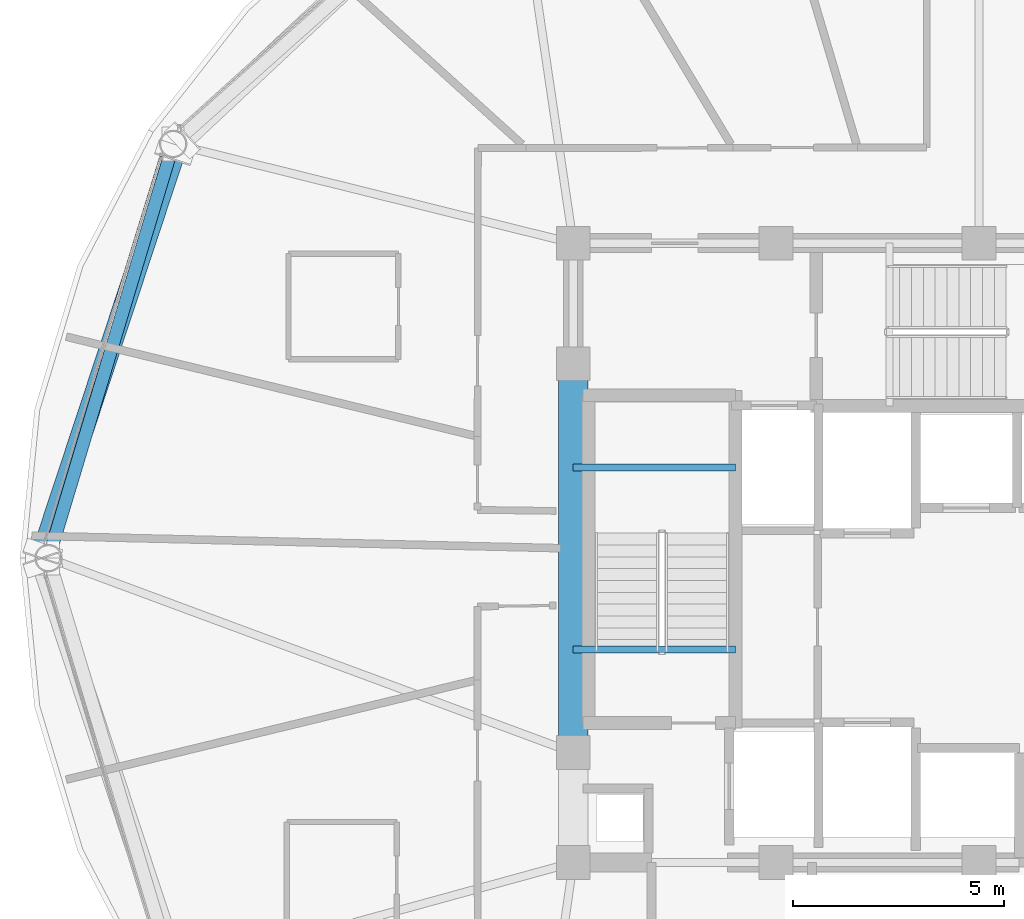
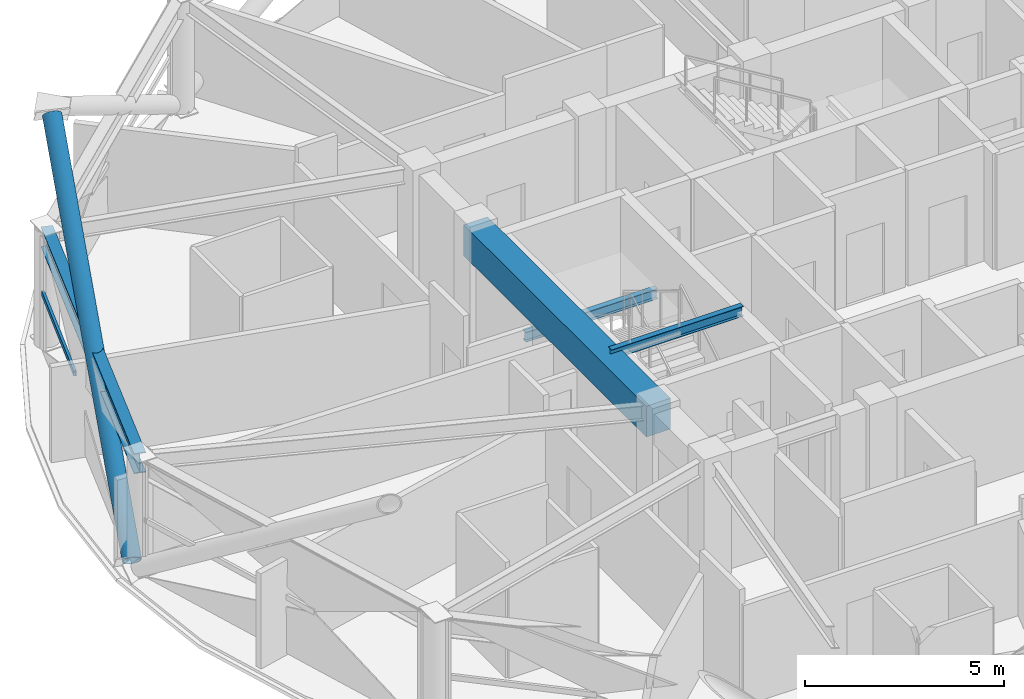
# One storey, part 8 of 29: 4 beams, 2 members, 1 element without a shape of its own.
"""IFC4 building model written with IfcOpenShell, lengths in metres."""

from ifc_helpers import new_model, si_unit, direction, frame, origin, origin_2d, place, context, subcontext, project, spatial, rectangle, hollow_rectangle, hollow_circle, i_section, extrude, material, layer, layer_set, material_profile, profile_set, type_object, element, aggregate, save


model = new_model("IFC4")

# Units and contexts
model_context = context("Model", 3, precision=1e-05, world=origin(), true_north=direction((0.0, 1.0)))
body_context = subcontext(model_context, "Body", "Model", "MODEL_VIEW")
ifc_project = project(units=[si_unit("LENGTHUNIT", "METRE"), si_unit("AREAUNIT", "SQUARE_METRE"), si_unit("VOLUMEUNIT", "CUBIC_METRE"), si_unit("PLANEANGLEUNIT", "RADIAN"), si_unit("MASSUNIT", "GRAM", prefix="KILO")], contexts=[model_context])

# Site, building, storey
site_placement = place(None, origin())
site = spatial("IfcSite", under=ifc_project, at=site_placement, CompositionType="ELEMENT")
building_placement = place(site_placement, origin())
building = spatial("IfcBuilding", under=site, at=building_placement, Name="Vantalir Tower", CompositionType="ELEMENT")
storey_placement = place(building_placement, frame((0.0, 0.0, 227.39990234375)))
storey = spatial("IfcBuildingStorey", under=building, at=storey_placement, Name="L57", CompositionType="ELEMENT", Elevation=227.39990234375)

# Beams
ifc_material_1 = material(Name="Concrete C60/75", Category="concrete")
ifc_material_profile_1 = material_profile(ifc_material_1, rectangle(XDim=0.699951171875, YDim=0.949951171875, at=origin_2d()), Name="Concrete C60/75")
ifc_profile_set_1 = profile_set([ifc_material_profile_1], Name="Concrete C60/75")
beam_type_1 = type_object("IfcBeamType", Name="BM-CB-700x950", PredefinedType="USERDEFINED", material=ifc_profile_set_1)
beam_1_placement = place(storey_placement, frame((21.89990234375, 29.60009765625, 3.09521484375), z_axis=(0.0, -1.0, 0.0), x_axis=(1.0, 0.0, 0.0)))
element("IfcBeam", 1, at=beam_1_placement, inside=storey, type_object=beam_type_1, Name="L57 Core Coupling Girder 13", ObjectType="GIRDER", PredefinedType="USERDEFINED", context=body_context, shape_type="SweptSolid", body=[
    extrude(rectangle(XDim=0.699951171875, YDim=0.949951171875, at=origin_2d()), origin(), (0.0, 0.0, 1.0), 9.2001953125),
])
ifc_material_2 = material(Name="Steel S355", Category="steel")
ifc_material_profile_2 = material_profile(ifc_material_2, i_section(OverallWidth=0.166015625, OverallDepth=0.306884765625, WebThickness=0.006591796875, FlangeThickness=0.01171875, at=origin_2d()), Name="Steel S355")
ifc_profile_set_2 = profile_set([ifc_material_profile_2], Name="Steel S355")
beam_type_2 = type_object("IfcBeamType", Name="BM-JS-305x165", PredefinedType="JOIST", material=ifc_profile_set_2)
for number, where, z_axis, x_axis, name in (
    (2, (21.89990234375, 22.8349609375, 3.59619140625), (1.0, 0.0, 0.0), (0.0, 1.0, 0.0), "L58 Stair ST1 Well Nosing Trimmer Beam"),
    (3, (21.89990234375, 27.14501953125, 1.52099609375), (1.0, 0.0, 0.0), (0.0, 1.0, 0.0), "L57 Stair ST1 Half-Landing Support Beam"),
):
    element("IfcBeam", number, at=place(storey_placement, frame(where, z_axis=z_axis, x_axis=x_axis)), inside=storey, type_object=beam_type_2, Name=name, PredefinedType="JOIST", context=body_context, shape_type="SweptSolid", body=[
        extrude(i_section(OverallWidth=0.166015625, OverallDepth=0.306884765625, WebThickness=0.006591796875, FlangeThickness=0.01171875, at=origin_2d()), origin(), (0.0, 0.0, 1.0), 3.840087890625),
    ])
ifc_material_3 = material(Name="Steel S460", Category="steel")
ifc_material_profile_3 = material_profile(ifc_material_3, i_section(OverallWidth=0.306884765625, OverallDepth=0.6201171875, WebThickness=0.01416015625, FlangeThickness=0.023681640625, at=origin_2d()), Name="Steel S460")
ifc_profile_set_3 = profile_set([ifc_material_profile_3], Name="Steel S460")
beam_type_3 = type_object("IfcBeamType", Name="BM-RG-610x305", PredefinedType="USERDEFINED", material=ifc_profile_set_3)
beam_2_placement = place(storey_placement, frame((12.43603515625, 34.798095703125, 3.260009765625), z_axis=(-0.288203662464, -0.957569135333, 0.0), x_axis=(0.957569135333, -0.288203662464, 0.0)))
element("IfcBeam", 4, at=beam_2_placement, inside=storey, type_object=beam_type_3, Name="L57 Circumferential Ring Girder 06", ObjectType="GIRDER", PredefinedType="USERDEFINED", context=body_context, shape_type="SweptSolid", body=[
    extrude(i_section(OverallWidth=0.306884765625, OverallDepth=0.6201171875, WebThickness=0.01416015625, FlangeThickness=0.023681640625, at=origin_2d()), origin(), (0.0, 0.0, 1.0), 10.232177734375),
])

# Curtain wall, member
ifc_material_4 = material(Name="Champagne-silver PVDF aluminium and double-silver Low-E glass", Category="aluminium")
ifc_layer = layer(ifc_material_4, 0.2099609375)
ifc_layer_set = layer_set([ifc_layer], Name="Champagne-silver PVDF aluminium and double-silver Low-E glass")
curtain_wall_type = type_object("IfcCurtainWallType", Name="CW-DIAMOND-Z3", PredefinedType="USERDEFINED", material=ifc_layer_set)
curtain_wall_placement = place(storey_placement, origin())
curtain_wall = element("IfcCurtainWall", 5, at=curtain_wall_placement, inside=storey, type_object=curtain_wall_type, Name="L57 Quilted Pyramid-Diamond Curtain Wall S06", ObjectType="UNITISED CURTAIN WALL", PredefinedType="USERDEFINED")
ifc_material_5 = material(Name="Champagne-silver PVDF aluminium 6063-T6", Category="aluminium")
ifc_material_profile_4 = material_profile(ifc_material_5, hollow_rectangle(XDim=0.074951171875, YDim=0.159912109375, WallThickness=0.00390625, at=origin_2d()), Name="Champagne-silver PVDF aluminium 6063-T6")
ifc_profile_set_4 = profile_set([ifc_material_profile_4], Name="Champagne-silver PVDF aluminium 6063-T6")
member_type_1 = type_object("IfcMemberType", Name="CWT-160x75", PredefinedType="USERDEFINED", material=ifc_profile_set_4)
member_1_placement = place(storey_placement, frame((12.154052734375, 34.5, 1.78515625), z_axis=(-0.294380131047, -0.955688410751, 0.0), x_axis=(0.955688410751, -0.294380131047, 0.0)))
member_1 = element("IfcMember", 6, at=member_1_placement, type_object=member_type_1, Name="CW-L57-S06 Pyramid Fold Ridge Transom", ObjectType="TRANSOM", PredefinedType="USERDEFINED", context=body_context, shape_type="SweptSolid", body=[
    extrude(hollow_rectangle(XDim=0.074951171875, YDim=0.159912109375, WallThickness=0.00390625, at=origin_2d()), origin(), (0.0, 0.0, 1.0), 3.6142578125),
])
aggregate(curtain_wall, [member_1])

# Member
ifc_material_profile_5 = material_profile(ifc_material_3, hollow_circle(Radius=0.25, WallThickness=0.031982421875, at=origin_2d()), Name="Steel S460")
ifc_profile_set_5 = profile_set([ifc_material_profile_5], Name="Steel S460")
member_type_2 = type_object("IfcMemberType", Name="MEM-DB-500x32", PredefinedType="BRACE", material=ifc_profile_set_5)
member_2_placement = place(storey_placement, frame((9.35400390625, 25.1708984375, 0.2060546875), z_axis=(0.257746633058, 0.77913678994, 0.571412754241), x_axis=(-0.949399401142, 0.31407129304, 0.0)))
element("IfcMember", 7, at=member_2_placement, inside=storey, type_object=member_type_2, Name="L57 Perimeter S460 Diagrid Brace R19R", PredefinedType="BRACE", context=body_context, shape_type="SweptSolid", body=[
    extrude(hollow_circle(Radius=0.25, WallThickness=0.031982421875, at=origin_2d()), origin(), (0.0, 0.0, 1.0), 12.08935546875),
])

save(model, "model.ifc")
